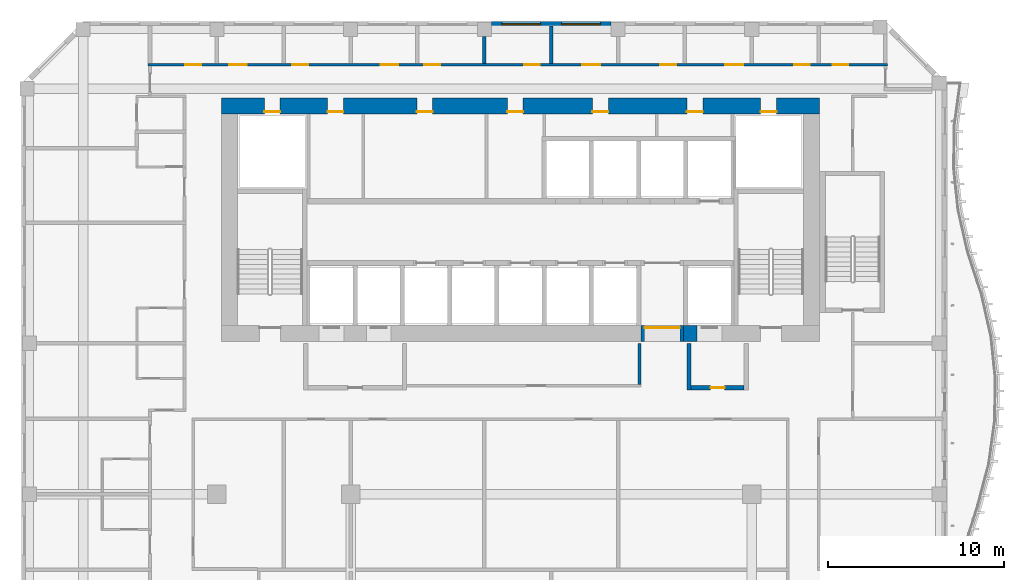
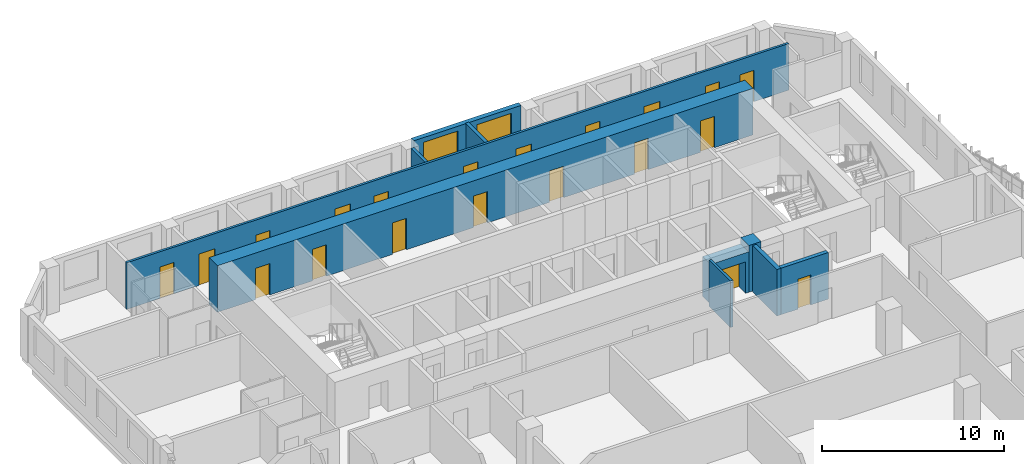
# One storey, part 9 of 24: 20 doors, 10 walls, 2 windows, 22 openings.
"""IFC4 building model written with IfcOpenShell, lengths in metres."""

from ifc_helpers import new_model, si_unit, direction, frame, frame_2d, origin, place, context, subcontext, project, spatial, rectangle, extrude, source, transform, mapped, material, layer, layer_set, type_object, element, fill, save


model = new_model("IFC4")

# Units and contexts
model_context = context("Model", 3, precision=1e-05, world=origin(), true_north=direction((0.0, 1.0)))
body_context = subcontext(model_context, "Body", "Model", "MODEL_VIEW")
ifc_project = project(units=[si_unit("LENGTHUNIT", "METRE"), si_unit("AREAUNIT", "SQUARE_METRE"), si_unit("VOLUMEUNIT", "CUBIC_METRE"), si_unit("PLANEANGLEUNIT", "RADIAN"), si_unit("MASSUNIT", "GRAM", prefix="KILO")], contexts=[model_context])

# Site, building, storey
site_placement = place(None, origin())
site = spatial("IfcSite", under=ifc_project, at=site_placement, CompositionType="ELEMENT")
building_placement = place(site_placement, origin())
building = spatial("IfcBuilding", under=site, at=building_placement, Name="Kilnfold Tower and Market Hall", CompositionType="ELEMENT")
storey_placement = place(building_placement, frame((0.0, 0.0, 175.300048828125)))
storey = spatial("IfcBuildingStorey", under=building, at=storey_placement, Name="L41", CompositionType="ELEMENT", Elevation=175.300048828125)

# Wall, openings, doors
ifc_material_1 = material(Name="Gypsum board on steel studs", Category="steel")
ifc_layer_1 = layer(ifc_material_1, 0.14990234375)
ifc_layer_set_1 = layer_set([ifc_layer_1], Name="Gypsum board on steel studs")
wall_type_1 = type_object("IfcWallType", Name="WALL CORRIDOR 150", PredefinedType="PARTITIONING", material=ifc_layer_set_1)
wall_1_placement = place(storey_placement, frame((-20.05908203125, 23.800048828125, 0.0), z_axis=(0.0, 0.0, 1.0), x_axis=(1.0, 0.0, 0.0)))
wall_1 = element("IfcWall", 1, at=wall_1_placement, inside=storey, type_object=wall_type_1, Name="Partition LY26.39", PredefinedType="PARTITIONING", context=body_context, shape_type="SweptSolid", body=[
    extrude(rectangle(XDim=41.9091796875, YDim=0.14990234375, at=frame_2d((20.95458984375, 0.0))), origin(), (0.0, 0.0, 1.0), 3.119873046875),
])
opening_1_placement = place(wall_1_placement, frame((2.10107421875, 0.0, 0.0)))
opening_1 = element("IfcOpeningElement", 2, at=opening_1_placement, cuts=wall_1, Name="Opening D2", PredefinedType="OPENING", context=body_context, shape_type="SweptSolid", body=[
    extrude(rectangle(XDim=0.89990234375, YDim=2.10009765625, at=frame_2d((0.449951171875, 1.050048828125))), frame((0.0, 0.0849609375, 0.0), z_axis=(0.0, -1.0, 0.0), x_axis=(1.0, 0.0, 0.0)), (0.0, 0.0, 1.0), 0.169921875),
])
opening_2_placement = place(wall_1_placement, frame((4.5849609375, 0.0, 0.0)))
opening_2 = element("IfcOpeningElement", 3, at=opening_2_placement, cuts=wall_1, Name="Opening D4", PredefinedType="OPENING", context=body_context, shape_type="SweptSolid", body=[
    extrude(rectangle(XDim=1.0, YDim=2.10009765625, at=frame_2d((0.5, 1.050048828125))), frame((0.0, 0.0849609375, 0.0), z_axis=(0.0, -1.0, 0.0), x_axis=(1.0, 0.0, 0.0)), (0.0, 0.0, 1.0), 0.169921875),
])
opening_3_placement = place(wall_1_placement, frame((8.175048828125, 0.0, 0.0)))
opening_3 = element("IfcOpeningElement", 4, at=opening_3_placement, cuts=wall_1, Name="Opening D2", PredefinedType="OPENING", context=body_context, shape_type="SweptSolid", body=[
    extrude(rectangle(XDim=0.89990234375, YDim=2.10009765625, at=frame_2d((0.449951171875, 1.050048828125))), frame((0.0, 0.0849609375, 0.0), z_axis=(0.0, -1.0, 0.0), x_axis=(1.0, 0.0, 0.0)), (0.0, 0.0, 1.0), 0.169921875),
])
opening_4_placement = place(wall_1_placement, frame((13.173095703125, 0.0, 0.0)))
opening_4 = element("IfcOpeningElement", 5, at=opening_4_placement, cuts=wall_1, Name="Opening D4", PredefinedType="OPENING", context=body_context, shape_type="SweptSolid", body=[
    extrude(rectangle(XDim=1.0, YDim=2.10009765625, at=frame_2d((0.5, 1.050048828125))), frame((0.0, 0.0849609375, 0.0), z_axis=(0.0, -1.0, 0.0), x_axis=(1.0, 0.0, 0.0)), (0.0, 0.0, 1.0), 0.169921875),
])
opening_5_placement = place(wall_1_placement, frame((15.657958984375, 0.0, 0.0)))
opening_5 = element("IfcOpeningElement", 6, at=opening_5_placement, cuts=wall_1, Name="Opening D2", PredefinedType="OPENING", context=body_context, shape_type="SweptSolid", body=[
    extrude(rectangle(XDim=0.89990234375, YDim=2.10009765625, at=frame_2d((0.449951171875, 1.050048828125))), frame((0.0, 0.0849609375, 0.0), z_axis=(0.0, -1.0, 0.0), x_axis=(1.0, 0.0, 0.0)), (0.0, 0.0, 1.0), 0.169921875),
])
opening_6_placement = place(wall_1_placement, frame((21.31494140625, 0.0, 0.0)))
opening_6 = element("IfcOpeningElement", 7, at=opening_6_placement, cuts=wall_1, Name="Opening D2", PredefinedType="OPENING", context=body_context, shape_type="SweptSolid", body=[
    extrude(rectangle(XDim=0.89990234375, YDim=2.10009765625, at=frame_2d((0.449951171875, 1.050048828125))), frame((0.0, 0.0849609375, 0.0), z_axis=(0.0, -1.0, 0.0), x_axis=(1.0, 0.0, 0.0)), (0.0, 0.0, 1.0), 0.169921875),
])
opening_7_placement = place(wall_1_placement, frame((24.625, 0.0, 0.0)))
opening_7 = element("IfcOpeningElement", 8, at=opening_7_placement, cuts=wall_1, Name="Opening D4", PredefinedType="OPENING", context=body_context, shape_type="SweptSolid", body=[
    extrude(rectangle(XDim=1.0, YDim=2.10009765625, at=frame_2d((0.5, 1.050048828125))), frame((0.0, 0.0849609375, 0.0), z_axis=(0.0, -1.0, 0.0), x_axis=(1.0, 0.0, 0.0)), (0.0, 0.0, 1.0), 0.169921875),
])
opening_8_placement = place(wall_1_placement, frame((29.04296875, 0.0, 0.0)))
opening_8 = element("IfcOpeningElement", 9, at=opening_8_placement, cuts=wall_1, Name="Opening D2", PredefinedType="OPENING", context=body_context, shape_type="SweptSolid", body=[
    extrude(rectangle(XDim=0.89990234375, YDim=2.10009765625, at=frame_2d((0.449951171875, 1.050048828125))), frame((0.0, 0.0849609375, 0.0), z_axis=(0.0, -1.0, 0.0), x_axis=(1.0, 0.0, 0.0)), (0.0, 0.0, 1.0), 0.169921875),
])
opening_9_placement = place(wall_1_placement, frame((32.735107421875, 0.0, 0.0)))
opening_9 = element("IfcOpeningElement", 10, at=opening_9_placement, cuts=wall_1, Name="Opening D4", PredefinedType="OPENING", context=body_context, shape_type="SweptSolid", body=[
    extrude(rectangle(XDim=1.0, YDim=2.10009765625, at=frame_2d((0.5, 1.050048828125))), frame((0.0, 0.0849609375, 0.0), z_axis=(0.0, -1.0, 0.0), x_axis=(1.0, 0.0, 0.0)), (0.0, 0.0, 1.0), 0.169921875),
])
opening_10_placement = place(wall_1_placement, frame((36.626953125, 0.0, 0.0)))
opening_10 = element("IfcOpeningElement", 11, at=opening_10_placement, cuts=wall_1, Name="Opening D2", PredefinedType="OPENING", context=body_context, shape_type="SweptSolid", body=[
    extrude(rectangle(XDim=0.89990234375, YDim=2.10009765625, at=frame_2d((0.449951171875, 1.050048828125))), frame((0.0, 0.0849609375, 0.0), z_axis=(0.0, -1.0, 0.0), x_axis=(1.0, 0.0, 0.0)), (0.0, 0.0, 1.0), 0.169921875),
])
opening_11_placement = place(wall_1_placement, frame((38.80810546875, 0.0, 0.0)))
opening_11 = element("IfcOpeningElement", 12, at=opening_11_placement, cuts=wall_1, Name="Opening D2", PredefinedType="OPENING", context=body_context, shape_type="SweptSolid", body=[
    extrude(rectangle(XDim=0.89990234375, YDim=2.10009765625, at=frame_2d((0.449951171875, 1.050048828125))), frame((0.0, 0.0849609375, 0.0), z_axis=(0.0, -1.0, 0.0), x_axis=(1.0, 0.0, 0.0)), (0.0, 0.0, 1.0), 0.169921875),
])
ifc_material_2 = material(Name="Timber veneer door leaf in steel frame", Category="steel")
door_type_1 = type_object("IfcDoorType", Name="DOOR ROOM 900 X2100", OperationType="NOTDEFINED", PredefinedType="DOOR", material=ifc_material_2)
door_1_placement = place(opening_1_placement, origin())
door_1 = element("IfcDoor", 13, at=door_1_placement, inside=storey, type_object=door_type_1, Name="Door D2", OperationType="SINGLE_SWING_RIGHT", OverallHeight=2.10009765625, OverallWidth=0.89990234375, PredefinedType="DOOR", context=body_context, shape_type="SweptSolid", body=[
    extrude(rectangle(XDim=0.89990234375, YDim=2.10009765625, at=frame_2d((0.449951171875, 1.050048828125))), frame((0.0, 0.02490234375, 0.0), z_axis=(0.0, -1.0, 0.0), x_axis=(1.0, 0.0, 0.0)), (0.0, 0.0, 1.0), 0.050048828125),
])
fill(opening_1, door_1)
door_2_placement = place(opening_3_placement, origin())
door_2 = element("IfcDoor", 14, at=door_2_placement, inside=storey, type_object=door_type_1, Name="Door D2", OperationType="SINGLE_SWING_LEFT", OverallHeight=2.10009765625, OverallWidth=0.89990234375, PredefinedType="DOOR", context=body_context, shape_type="SweptSolid", body=[
    extrude(rectangle(XDim=0.89990234375, YDim=2.10009765625, at=frame_2d((0.449951171875, 1.050048828125))), frame((0.0, 0.02490234375, 0.0), z_axis=(0.0, -1.0, 0.0), x_axis=(1.0, 0.0, 0.0)), (0.0, 0.0, 1.0), 0.050048828125),
])
fill(opening_3, door_2)
door_3_placement = place(opening_5_placement, origin())
door_3 = element("IfcDoor", 15, at=door_3_placement, inside=storey, type_object=door_type_1, Name="Door D2", OperationType="SINGLE_SWING_RIGHT", OverallHeight=2.10009765625, OverallWidth=0.89990234375, PredefinedType="DOOR", context=body_context, shape_type="SweptSolid", body=[
    extrude(rectangle(XDim=0.89990234375, YDim=2.10009765625, at=frame_2d((0.449951171875, 1.050048828125))), frame((0.0, 0.02490234375, 0.0), z_axis=(0.0, -1.0, 0.0), x_axis=(1.0, 0.0, 0.0)), (0.0, 0.0, 1.0), 0.050048828125),
])
fill(opening_5, door_3)
door_4_placement = place(opening_6_placement, origin())
door_4 = element("IfcDoor", 16, at=door_4_placement, inside=storey, type_object=door_type_1, Name="Door D2", OperationType="SINGLE_SWING_RIGHT", OverallHeight=2.10009765625, OverallWidth=0.89990234375, PredefinedType="DOOR", context=body_context, shape_type="SweptSolid", body=[
    extrude(rectangle(XDim=0.89990234375, YDim=2.10009765625, at=frame_2d((0.449951171875, 1.050048828125))), frame((0.0, 0.02490234375, 0.0), z_axis=(0.0, -1.0, 0.0), x_axis=(1.0, 0.0, 0.0)), (0.0, 0.0, 1.0), 0.050048828125),
])
fill(opening_6, door_4)
door_5_placement = place(opening_8_placement, origin())
door_5 = element("IfcDoor", 17, at=door_5_placement, inside=storey, type_object=door_type_1, Name="Door D2", OperationType="SINGLE_SWING_RIGHT", OverallHeight=2.10009765625, OverallWidth=0.89990234375, PredefinedType="DOOR", context=body_context, shape_type="SweptSolid", body=[
    extrude(rectangle(XDim=0.89990234375, YDim=2.10009765625, at=frame_2d((0.449951171875, 1.050048828125))), frame((0.0, 0.02490234375, 0.0), z_axis=(0.0, -1.0, 0.0), x_axis=(1.0, 0.0, 0.0)), (0.0, 0.0, 1.0), 0.050048828125),
])
fill(opening_8, door_5)
door_6_placement = place(opening_10_placement, origin())
door_6 = element("IfcDoor", 18, at=door_6_placement, inside=storey, type_object=door_type_1, Name="Door D2", OperationType="SINGLE_SWING_RIGHT", OverallHeight=2.10009765625, OverallWidth=0.89990234375, PredefinedType="DOOR", context=body_context, shape_type="SweptSolid", body=[
    extrude(rectangle(XDim=0.89990234375, YDim=2.10009765625, at=frame_2d((0.449951171875, 1.050048828125))), frame((0.0, 0.02490234375, 0.0), z_axis=(0.0, -1.0, 0.0), x_axis=(1.0, 0.0, 0.0)), (0.0, 0.0, 1.0), 0.050048828125),
])
fill(opening_10, door_6)
door_7_placement = place(opening_11_placement, origin())
door_7 = element("IfcDoor", 19, at=door_7_placement, inside=storey, type_object=door_type_1, Name="Door D2", OperationType="SINGLE_SWING_LEFT", OverallHeight=2.10009765625, OverallWidth=0.89990234375, PredefinedType="DOOR", context=body_context, shape_type="SweptSolid", body=[
    extrude(rectangle(XDim=0.89990234375, YDim=2.10009765625, at=frame_2d((0.449951171875, 1.050048828125))), frame((0.0, 0.02490234375, 0.0), z_axis=(0.0, -1.0, 0.0), x_axis=(1.0, 0.0, 0.0)), (0.0, 0.0, 1.0), 0.050048828125),
])
fill(opening_11, door_7)
ifc_material_3 = material(Name="Timber veneer door leaf in steel frame", Category="steel")
door_type_2 = type_object("IfcDoorType", Name="DOOR SERVICE 1000 X2100", OperationType="NOTDEFINED", PredefinedType="DOOR", material=ifc_material_3)
door_8_placement = place(opening_2_placement, origin())
door_8 = element("IfcDoor", 20, at=door_8_placement, inside=storey, type_object=door_type_2, Name="Door D4", OperationType="SINGLE_SWING_RIGHT", OverallHeight=2.10009765625, OverallWidth=1.0, PredefinedType="DOOR", context=body_context, shape_type="SweptSolid", body=[
    extrude(rectangle(XDim=1.0, YDim=2.10009765625, at=frame_2d((0.5, 1.050048828125))), frame((0.0, 0.02490234375, 0.0), z_axis=(0.0, -1.0, 0.0), x_axis=(1.0, 0.0, 0.0)), (0.0, 0.0, 1.0), 0.050048828125),
])
fill(opening_2, door_8)
door_9_placement = place(opening_4_placement, origin())
door_9 = element("IfcDoor", 21, at=door_9_placement, inside=storey, type_object=door_type_2, Name="Door D4", OperationType="SINGLE_SWING_RIGHT", OverallHeight=2.10009765625, OverallWidth=1.0, PredefinedType="DOOR", context=body_context, shape_type="SweptSolid", body=[
    extrude(rectangle(XDim=1.0, YDim=2.10009765625, at=frame_2d((0.5, 1.050048828125))), frame((0.0, 0.02490234375, 0.0), z_axis=(0.0, -1.0, 0.0), x_axis=(1.0, 0.0, 0.0)), (0.0, 0.0, 1.0), 0.050048828125),
])
fill(opening_4, door_9)
door_10_placement = place(opening_7_placement, origin())
door_10 = element("IfcDoor", 22, at=door_10_placement, inside=storey, type_object=door_type_2, Name="Door D4", OperationType="SINGLE_SWING_LEFT", OverallHeight=2.10009765625, OverallWidth=1.0, PredefinedType="DOOR", context=body_context, shape_type="SweptSolid", body=[
    extrude(rectangle(XDim=1.0, YDim=2.10009765625, at=frame_2d((0.5, 1.050048828125))), frame((0.0, 0.02490234375, 0.0), z_axis=(0.0, -1.0, 0.0), x_axis=(1.0, 0.0, 0.0)), (0.0, 0.0, 1.0), 0.050048828125),
])
fill(opening_7, door_10)
door_11_placement = place(opening_9_placement, origin())
door_11 = element("IfcDoor", 23, at=door_11_placement, inside=storey, type_object=door_type_2, Name="Door D4", OperationType="SINGLE_SWING_RIGHT", OverallHeight=2.10009765625, OverallWidth=1.0, PredefinedType="DOOR", context=body_context, shape_type="SweptSolid", body=[
    extrude(rectangle(XDim=1.0, YDim=2.10009765625, at=frame_2d((0.5, 1.050048828125))), frame((0.0, 0.02490234375, 0.0), z_axis=(0.0, -1.0, 0.0), x_axis=(1.0, 0.0, 0.0)), (0.0, 0.0, 1.0), 0.050048828125),
])
fill(opening_9, door_11)

# Walls
wall_2_placement = place(storey_placement, frame((7.800048828125, 8.0, 0.0), z_axis=(0.0, 0.0, 1.0), x_axis=(0.0, -1.0, 0.0)))
element("IfcWall", 24, at=wall_2_placement, inside=storey, type_object=wall_type_1, Name="Partition LY26.41", PredefinedType="PARTITIONING", context=body_context, shape_type="SweptSolid", body=[
    extrude(rectangle(XDim=2.324951171875, YDim=0.14990234375, at=frame_2d((1.16259765625, 0.0))), origin(), (0.0, 0.0, 1.0), 3.119873046875),
])
ifc_material_4 = material(Name="Gypsum board on steel studs", Category="steel")
ifc_layer_2 = layer(ifc_material_4, 0.199951171875)
ifc_layer_set_2 = layer_set([ifc_layer_2], Name="Gypsum board on steel studs")
wall_type_2 = type_object("IfcWallType", Name="WALL PARTY 200", PredefinedType="PARTITIONING", material=ifc_layer_set_2)
wall_3_placement = place(storey_placement, frame((-1.0, 23.876953125, 0.0), z_axis=(0.0, 0.0, 1.0), x_axis=(0.0, 1.0, 0.0)))
element("IfcWall", 25, at=wall_3_placement, inside=storey, type_object=wall_type_2, Name="Partition LY26.128", PredefinedType="PARTITIONING", context=body_context, shape_type="SweptSolid", body=[
    extrude(rectangle(XDim=1.52294921875, YDim=0.199951171875, at=frame_2d((0.761474609375, 0.0))), origin(), (0.0, 0.0, 1.0), 3.119873046875),
])
wall_4_placement = place(storey_placement, frame((2.7919921875, 23.876953125, 0.0), z_axis=(0.0, 0.0, 1.0), x_axis=(0.0, 1.0, 0.0)))
element("IfcWall", 26, at=wall_4_placement, inside=storey, type_object=wall_type_2, Name="Partition LY26.129", PredefinedType="PARTITIONING", context=body_context, shape_type="SweptSolid", body=[
    extrude(rectangle(XDim=2.123046875, YDim=0.199951171875, at=frame_2d((1.0615234375, 0.0))), origin(), (0.0, 0.0, 1.0), 3.119873046875),
])
ifc_material_5 = material(Name="Concrete C70", Category="concrete")
ifc_layer_3 = layer(ifc_material_5, 0.89990234375)
ifc_layer_set_3 = layer_set([ifc_layer_3], Name="Concrete C70")
wall_type_3 = type_object("IfcWallType", Name="CORE WALL 900 C70", PredefinedType="SHEAR", material=ifc_layer_set_3)
shared_shape_1 = source(origin(), body_context, "Body", "SweptSolid", [
    extrude(rectangle(XDim=0.780029296875, YDim=0.89990234375, at=frame_2d((0.39013671875, 0.0))), origin(), (0.0, 0.0, 1.0), 3.119873046875),
])
wall_5_placement = place(storey_placement, frame((10.2900390625, 8.550048828125, 0.0), z_axis=(0.0, 0.0, 1.0), x_axis=(1.0, 0.0, 0.0)))
element("IfcWall", 27, at=wall_5_placement, inside=storey, type_object=wall_type_3, Name="Core outer wall south", PredefinedType="SHEAR", context=body_context, shape_type="MappedRepresentation", body=[
    mapped(shared_shape_1, transform((0.0, 0.0, 0.0))),
])

# Wall, openings, doors
shared_shape_2 = source(origin(), body_context, "Body", "SweptSolid", [
    extrude(rectangle(XDim=33.89990234375, YDim=0.89990234375, at=frame_2d((16.949951171875, 0.0))), origin(), (0.0, 0.0, 1.0), 3.119873046875),
])
wall_6_placement = place(storey_placement, frame((-15.89990234375, 21.449951171875, 0.0), z_axis=(0.0, 0.0, 1.0), x_axis=(1.0, 0.0, 0.0)))
wall_6 = element("IfcWall", 28, at=wall_6_placement, inside=storey, type_object=wall_type_3, Name="Core outer wall north", PredefinedType="SHEAR", context=body_context, shape_type="MappedRepresentation", body=[
    mapped(shared_shape_2, transform((0.0, 0.0, 0.0))),
])
opening_12_placement = place(wall_6_placement, frame((6.0078125, 0.0, 0.0)))
opening_12 = element("IfcOpeningElement", 29, at=opening_12_placement, cuts=wall_6, Name="Opening KD1", PredefinedType="OPENING", context=body_context, shape_type="SweptSolid", body=[
    extrude(rectangle(XDim=0.89990234375, YDim=2.10009765625, at=frame_2d((0.449951171875, 1.050048828125))), frame((0.0, 0.4599609375, 0.0), z_axis=(0.0, -1.0, 0.0), x_axis=(1.0, 0.0, 0.0)), (0.0, 0.0, 1.0), 0.919921875),
])
opening_13_placement = place(wall_6_placement, frame((11.072998046875, 0.0, 0.0)))
opening_13 = element("IfcOpeningElement", 30, at=opening_13_placement, cuts=wall_6, Name="Opening KD1", PredefinedType="OPENING", context=body_context, shape_type="SweptSolid", body=[
    extrude(rectangle(XDim=0.89990234375, YDim=2.10009765625, at=frame_2d((0.449951171875, 1.050048828125))), frame((0.0, 0.4599609375, 0.0), z_axis=(0.0, -1.0, 0.0), x_axis=(1.0, 0.0, 0.0)), (0.0, 0.0, 1.0), 0.919921875),
])
opening_14_placement = place(wall_6_placement, frame((16.205078125, 0.0, 0.0)))
opening_14 = element("IfcOpeningElement", 31, at=opening_14_placement, cuts=wall_6, Name="Opening KD1", PredefinedType="OPENING", context=body_context, shape_type="SweptSolid", body=[
    extrude(rectangle(XDim=0.89990234375, YDim=2.10009765625, at=frame_2d((0.449951171875, 1.050048828125))), frame((0.0, 0.4599609375, 0.0), z_axis=(0.0, -1.0, 0.0), x_axis=(1.0, 0.0, 0.0)), (0.0, 0.0, 1.0), 0.919921875),
])
opening_15_placement = place(wall_6_placement, frame((21.029296875, 0.0, 0.0)))
opening_15 = element("IfcOpeningElement", 32, at=opening_15_placement, cuts=wall_6, Name="Opening KD1", PredefinedType="OPENING", context=body_context, shape_type="SweptSolid", body=[
    extrude(rectangle(XDim=0.89990234375, YDim=2.10009765625, at=frame_2d((0.449951171875, 1.050048828125))), frame((0.0, 0.4599609375, 0.0), z_axis=(0.0, -1.0, 0.0), x_axis=(1.0, 0.0, 0.0)), (0.0, 0.0, 1.0), 0.919921875),
])
opening_16_placement = place(wall_6_placement, frame((26.38916015625, 0.0, 0.0)))
opening_16 = element("IfcOpeningElement", 33, at=opening_16_placement, cuts=wall_6, Name="Opening KD1", PredefinedType="OPENING", context=body_context, shape_type="SweptSolid", body=[
    extrude(rectangle(XDim=0.89990234375, YDim=2.10009765625, at=frame_2d((0.449951171875, 1.050048828125))), frame((0.0, 0.4599609375, 0.0), z_axis=(0.0, -1.0, 0.0), x_axis=(1.0, 0.0, 0.0)), (0.0, 0.0, 1.0), 0.919921875),
])
opening_17_placement = place(wall_6_placement, frame((2.425048828125, 0.0, 0.0)))
opening_17 = element("IfcOpeningElement", 34, at=opening_17_placement, cuts=wall_6, Name="Opening KD1", PredefinedType="OPENING", context=body_context, shape_type="SweptSolid", body=[
    extrude(rectangle(XDim=0.89990234375, YDim=2.10009765625, at=frame_2d((0.449951171875, 1.050048828125))), frame((0.0, 0.4599609375, 0.0), z_axis=(0.0, -1.0, 0.0), x_axis=(1.0, 0.0, 0.0)), (0.0, 0.0, 1.0), 0.919921875),
])
opening_18_placement = place(wall_6_placement, frame((30.574951171875, 0.0, 0.0)))
opening_18 = element("IfcOpeningElement", 35, at=opening_18_placement, cuts=wall_6, Name="Opening KD1", PredefinedType="OPENING", context=body_context, shape_type="SweptSolid", body=[
    extrude(rectangle(XDim=0.89990234375, YDim=2.10009765625, at=frame_2d((0.449951171875, 1.050048828125))), frame((0.0, 0.4599609375, 0.0), z_axis=(0.0, -1.0, 0.0), x_axis=(1.0, 0.0, 0.0)), (0.0, 0.0, 1.0), 0.919921875),
])
ifc_material_6 = material(Name="Steel door set with fire-resisting leaf", Category="steel")
door_type_3 = type_object("IfcDoorType", Name="SERVICE DOOR 900X2100", OperationType="NOTDEFINED", PredefinedType="DOOR", material=ifc_material_6)
door_12_placement = place(opening_12_placement, origin())
door_12 = element("IfcDoor", 36, at=door_12_placement, inside=storey, type_object=door_type_3, Name="Core service door", OperationType="SINGLE_SWING_RIGHT", OverallHeight=2.10009765625, OverallWidth=0.89990234375, PredefinedType="DOOR", context=body_context, shape_type="SweptSolid", body=[
    extrude(rectangle(XDim=0.89990234375, YDim=2.10009765625, at=frame_2d((0.449951171875, 1.050048828125))), frame((0.0, -0.30517578125, 0.0), z_axis=(0.0, -1.0, 0.0), x_axis=(1.0, 0.0, 0.0)), (0.0, 0.0, 1.0), 0.050048828125),
])
fill(opening_12, door_12)
door_13_placement = place(opening_13_placement, origin())
door_13 = element("IfcDoor", 37, at=door_13_placement, inside=storey, type_object=door_type_3, Name="Core service door", OperationType="SINGLE_SWING_LEFT", OverallHeight=2.10009765625, OverallWidth=0.89990234375, PredefinedType="DOOR", context=body_context, shape_type="SweptSolid", body=[
    extrude(rectangle(XDim=0.89990234375, YDim=2.10009765625, at=frame_2d((0.449951171875, 1.050048828125))), frame((0.0, -0.30517578125, 0.0), z_axis=(0.0, -1.0, 0.0), x_axis=(1.0, 0.0, 0.0)), (0.0, 0.0, 1.0), 0.050048828125),
])
fill(opening_13, door_13)
door_14_placement = place(opening_14_placement, origin())
door_14 = element("IfcDoor", 38, at=door_14_placement, inside=storey, type_object=door_type_3, Name="Core service door", OperationType="SINGLE_SWING_RIGHT", OverallHeight=2.10009765625, OverallWidth=0.89990234375, PredefinedType="DOOR", context=body_context, shape_type="SweptSolid", body=[
    extrude(rectangle(XDim=0.89990234375, YDim=2.10009765625, at=frame_2d((0.449951171875, 1.050048828125))), frame((0.0, -0.30517578125, 0.0), z_axis=(0.0, -1.0, 0.0), x_axis=(1.0, 0.0, 0.0)), (0.0, 0.0, 1.0), 0.050048828125),
])
fill(opening_14, door_14)
door_15_placement = place(opening_15_placement, origin())
door_15 = element("IfcDoor", 39, at=door_15_placement, inside=storey, type_object=door_type_3, Name="Core service door", OperationType="SINGLE_SWING_LEFT", OverallHeight=2.10009765625, OverallWidth=0.89990234375, PredefinedType="DOOR", context=body_context, shape_type="SweptSolid", body=[
    extrude(rectangle(XDim=0.89990234375, YDim=2.10009765625, at=frame_2d((0.449951171875, 1.050048828125))), frame((0.0, -0.30517578125, 0.0), z_axis=(0.0, -1.0, 0.0), x_axis=(1.0, 0.0, 0.0)), (0.0, 0.0, 1.0), 0.050048828125),
])
fill(opening_15, door_15)
door_16_placement = place(opening_16_placement, origin())
door_16 = element("IfcDoor", 40, at=door_16_placement, inside=storey, type_object=door_type_3, Name="Core service door", OperationType="SINGLE_SWING_RIGHT", OverallHeight=2.10009765625, OverallWidth=0.89990234375, PredefinedType="DOOR", context=body_context, shape_type="SweptSolid", body=[
    extrude(rectangle(XDim=0.89990234375, YDim=2.10009765625, at=frame_2d((0.449951171875, 1.050048828125))), frame((0.0, -0.30517578125, 0.0), z_axis=(0.0, -1.0, 0.0), x_axis=(1.0, 0.0, 0.0)), (0.0, 0.0, 1.0), 0.050048828125),
])
fill(opening_16, door_16)
door_17_placement = place(opening_17_placement, origin())
door_17 = element("IfcDoor", 41, at=door_17_placement, inside=storey, type_object=door_type_3, Name="Electrical riser access door", OperationType="SINGLE_SWING_LEFT", OverallHeight=2.10009765625, OverallWidth=0.89990234375, PredefinedType="DOOR", context=body_context, shape_type="SweptSolid", body=[
    extrude(rectangle(XDim=0.89990234375, YDim=2.10009765625, at=frame_2d((0.449951171875, 1.050048828125))), frame((0.0, -0.30517578125, 0.0), z_axis=(0.0, -1.0, 0.0), x_axis=(1.0, 0.0, 0.0)), (0.0, 0.0, 1.0), 0.050048828125),
])
fill(opening_17, door_17)
door_18_placement = place(opening_18_placement, origin())
door_18 = element("IfcDoor", 42, at=door_18_placement, inside=storey, type_object=door_type_3, Name="Mechanical riser access door", OperationType="SINGLE_SWING_RIGHT", OverallHeight=2.10009765625, OverallWidth=0.89990234375, PredefinedType="DOOR", context=body_context, shape_type="SweptSolid", body=[
    extrude(rectangle(XDim=0.89990234375, YDim=2.10009765625, at=frame_2d((0.449951171875, 1.050048828125))), frame((0.0, -0.30517578125, 0.0), z_axis=(0.0, -1.0, 0.0), x_axis=(1.0, 0.0, 0.0)), (0.0, 0.0, 1.0), 0.050048828125),
])
fill(opening_18, door_18)

# Wall, openings, windows
ifc_material_7 = material(Name="Precast concrete C50/60", Category="concrete")
ifc_layer_4 = layer(ifc_material_7, 0.300048828125)
ifc_layer_set_4 = layer_set([ifc_layer_4], Name="Precast concrete C50/60")
wall_type_4 = type_object("IfcWallType", Name="PRECAST WALL 300", PredefinedType="SOLIDWALL", material=ifc_layer_set_4)
shared_shape_3 = source(origin(), body_context, "Body", "SweptSolid", [
    extrude(rectangle(XDim=6.783447265625, YDim=0.300048828125, at=frame_2d((3.3916015625, 0.0))), origin(), (0.0, 0.0, 1.0), 3.119873046875),
])
wall_7_placement = place(storey_placement, frame((6.183349609375, 26.10009765625, 0.0), z_axis=(0.0, 0.0, 1.0), x_axis=(-1.0, 0.0, 0.0)))
wall_7 = element("IfcWall", 43, at=wall_7_placement, inside=storey, type_object=wall_type_4, Name="External wall L41 N", PredefinedType="SOLIDWALL", context=body_context, shape_type="MappedRepresentation", body=[
    mapped(shared_shape_3, transform((0.0, 0.0, 0.0))),
])
opening_19_placement = place(wall_7_placement, frame((0.595703125, 0.0, 0.85009765625)))
opening_19 = element("IfcOpeningElement", 44, at=opening_19_placement, cuts=wall_7, Name="Opening W2", PredefinedType="OPENING", context=body_context, shape_type="SweptSolid", body=[
    extrude(rectangle(XDim=2.199951171875, YDim=1.949951171875, at=frame_2d((1.10009765625, 0.97509765625))), frame((0.0, 0.16015625, 0.0), z_axis=(0.0, -1.0, 0.0), x_axis=(1.0, 0.0, 0.0)), (0.0, 0.0, 1.0), 0.320068359375),
])
opening_20_placement = place(wall_7_placement, frame((3.987548828125, 0.0, 0.85009765625)))
opening_20 = element("IfcOpeningElement", 45, at=opening_20_placement, cuts=wall_7, Name="Opening W2", PredefinedType="OPENING", context=body_context, shape_type="SweptSolid", body=[
    extrude(rectangle(XDim=2.199951171875, YDim=1.949951171875, at=frame_2d((1.10009765625, 0.97509765625))), frame((0.0, 0.16015625, 0.0), z_axis=(0.0, -1.0, 0.0), x_axis=(1.0, 0.0, 0.0)), (0.0, 0.0, 1.0), 0.320068359375),
])
ifc_material_8 = material(Name="Aluminium frame and double glazing", Category="aluminium")
window_type = type_object("IfcWindowType", Name="WINDOW W2 2200X1950", PartitioningType="SINGLE_PANEL", PredefinedType="WINDOW", material=ifc_material_8)
window_1_placement = place(opening_19_placement, origin())
window_1 = element("IfcWindow", 46, at=window_1_placement, inside=storey, type_object=window_type, Name="Window W2 L41 N-1", OverallHeight=1.949951171875, OverallWidth=2.199951171875, PartitioningType="SINGLE_PANEL", PredefinedType="WINDOW", context=body_context, shape_type="SweptSolid", body=[
    extrude(rectangle(XDim=2.199951171875, YDim=1.949951171875, at=frame_2d((1.10009765625, 0.97509765625))), frame((0.0, 0.030029296875, 0.0), z_axis=(0.0, -1.0, 0.0), x_axis=(1.0, 0.0, 0.0)), (0.0, 0.0, 1.0), 0.06005859375),
])
fill(opening_19, window_1)
window_2_placement = place(opening_20_placement, origin())
window_2 = element("IfcWindow", 47, at=window_2_placement, inside=storey, type_object=window_type, Name="Window W2 L41 N-2", OverallHeight=1.949951171875, OverallWidth=2.199951171875, PartitioningType="SINGLE_PANEL", PredefinedType="WINDOW", context=body_context, shape_type="SweptSolid", body=[
    extrude(rectangle(XDim=2.199951171875, YDim=1.949951171875, at=frame_2d((1.10009765625, 0.97509765625))), frame((0.0, 0.030029296875, 0.0), z_axis=(0.0, -1.0, 0.0), x_axis=(1.0, 0.0, 0.0)), (0.0, 0.0, 1.0), 0.06005859375),
])
fill(opening_20, window_2)

# Wall, opening, door
ifc_material_9 = material(Name="Gypsum shaft wall system")
ifc_layer_5 = layer(ifc_material_9, 0.89990234375)
ifc_layer_set_5 = layer_set([ifc_layer_5], Name="Gypsum shaft wall system")
wall_type_5 = type_object("IfcWallType", Name="LOBBY WALL 900", PredefinedType="PARTITIONING", material=ifc_layer_set_5)
shared_shape_4 = source(origin(), body_context, "Body", "SweptSolid", [
    extrude(rectangle(XDim=2.400146484375, YDim=0.89990234375, at=frame_2d((1.2001953125, 0.0))), origin(), (0.0, 0.0, 1.0), 2.699951171875),
])
wall_8_placement = place(storey_placement, frame((7.889892578125, 8.550048828125, 0.0), z_axis=(0.0, 0.0, 1.0), x_axis=(1.0, 0.0, 0.0)))
wall_8 = element("IfcWall", 48, at=wall_8_placement, inside=storey, type_object=wall_type_5, Name="Core wall infill", PredefinedType="PARTITIONING", context=body_context, shape_type="MappedRepresentation", body=[
    mapped(shared_shape_4, transform((0.0, 0.0, 0.0))),
])
opening_21_placement = place(wall_8_placement, frame((0.199951171875, 0.0, 0.0)))
opening_21 = element("IfcOpeningElement", 49, at=opening_21_placement, cuts=wall_8, Name="Opening VD2", PredefinedType="OPENING", context=body_context, shape_type="SweptSolid", body=[
    extrude(rectangle(XDim=2.0, YDim=2.10009765625, at=frame_2d((1.0, 1.050048828125))), frame((0.0, 0.4599609375, 0.0), z_axis=(0.0, -1.0, 0.0), x_axis=(1.0, 0.0, 0.0)), (0.0, 0.0, 1.0), 0.919921875),
])
ifc_material_10 = material(Name="Steel door set with fire-resisting leaf", Category="steel")
door_type_4 = type_object("IfcDoorType", Name="LIFT LOBBY ENTRANCE DOOR 2000X2100", OperationType="NOTDEFINED", PredefinedType="DOOR", material=ifc_material_10)
door_19_placement = place(opening_21_placement, origin())
door_19 = element("IfcDoor", 50, at=door_19_placement, inside=storey, type_object=door_type_4, Name="Lift lobby entrance door", OperationType="DOUBLE_DOOR_SINGLE_SWING", OverallHeight=2.10009765625, OverallWidth=2.0, PredefinedType="DOOR", context=body_context, shape_type="SweptSolid", body=[
    extrude(rectangle(XDim=2.0, YDim=2.10009765625, at=frame_2d((1.0, 1.050048828125))), frame((0.0, 0.35498046875, 0.0), z_axis=(0.0, -1.0, 0.0), x_axis=(1.0, 0.0, 0.0)), (0.0, 0.0, 1.0), 0.050048828125),
])
fill(opening_21, door_19)

# Wall
ifc_material_11 = material(Name="Gypsum shaft wall system")
ifc_layer_6 = layer(ifc_material_11, 0.25)
ifc_layer_set_6 = layer_set([ifc_layer_6], Name="Gypsum shaft wall system")
wall_type_6 = type_object("IfcWallType", Name="LOBBY WALL 250", PredefinedType="PARTITIONING", material=ifc_layer_set_6)
shared_shape_5 = source(origin(), body_context, "Body", "SweptSolid", [
    extrude(rectangle(XDim=2.64990234375, YDim=0.25, at=frame_2d((1.324951171875, 0.0))), origin(), (0.0, 0.0, 1.0), 3.119873046875),
])
wall_9_placement = place(storey_placement, frame((10.60498046875, 5.35009765625, 0.0), z_axis=(0.0, 0.0, 1.0), x_axis=(0.0, 1.0, 0.0)))
element("IfcWall", 51, at=wall_9_placement, inside=storey, type_object=wall_type_6, Name="Firefighting lobby wall", PredefinedType="PARTITIONING", context=body_context, shape_type="MappedRepresentation", body=[
    mapped(shared_shape_5, transform((0.0, 0.0, 0.0))),
])

# Wall, opening, door
shared_shape_6 = source(origin(), body_context, "Body", "SweptSolid", [
    extrude(rectangle(XDim=3.0, YDim=0.25, at=frame_2d((1.5, 0.0))), origin(), (0.0, 0.0, 1.0), 3.119873046875),
])
wall_10_placement = place(storey_placement, frame((10.72998046875, 5.47509765625, 0.0), z_axis=(0.0, 0.0, 1.0), x_axis=(1.0, 0.0, 0.0)))
wall_10 = element("IfcWall", 52, at=wall_10_placement, inside=storey, type_object=wall_type_6, Name="Firefighting lobby wall", PredefinedType="PARTITIONING", context=body_context, shape_type="MappedRepresentation", body=[
    mapped(shared_shape_6, transform((0.0, 0.0, 0.0))),
])
opening_22_placement = place(wall_10_placement, frame((1.10009765625, 0.0, 0.0)))
opening_22 = element("IfcOpeningElement", 53, at=opening_22_placement, cuts=wall_10, Name="Opening VD1", PredefinedType="OPENING", context=body_context, shape_type="SweptSolid", body=[
    extrude(rectangle(XDim=0.800048828125, YDim=2.0, at=frame_2d((0.39990234375, 1.0))), frame((0.0, 0.135009765625, 0.0), z_axis=(0.0, -1.0, 0.0), x_axis=(1.0, 0.0, 0.0)), (0.0, 0.0, 1.0), 0.27001953125),
])
ifc_material_12 = material(Name="Steel door set with fire-resisting leaf", Category="steel")
door_type_5 = type_object("IfcDoorType", Name="FIREFIGHTING LOBBY DOOR 800X2000", OperationType="NOTDEFINED", PredefinedType="DOOR", material=ifc_material_12)
door_20_placement = place(opening_22_placement, origin())
door_20 = element("IfcDoor", 54, at=door_20_placement, inside=storey, type_object=door_type_5, Name="Firefighting lobby door", OperationType="SINGLE_SWING_RIGHT", OverallHeight=2.0, OverallWidth=0.800048828125, PredefinedType="DOOR", context=body_context, shape_type="SweptSolid", body=[
    extrude(rectangle(XDim=0.800048828125, YDim=2.0, at=frame_2d((0.39990234375, 1.0))), frame((0.0, 0.02490234375, 0.0), z_axis=(0.0, -1.0, 0.0), x_axis=(1.0, 0.0, 0.0)), (0.0, 0.0, 1.0), 0.050048828125),
])
fill(opening_22, door_20)

save(model, "model.ifc")
